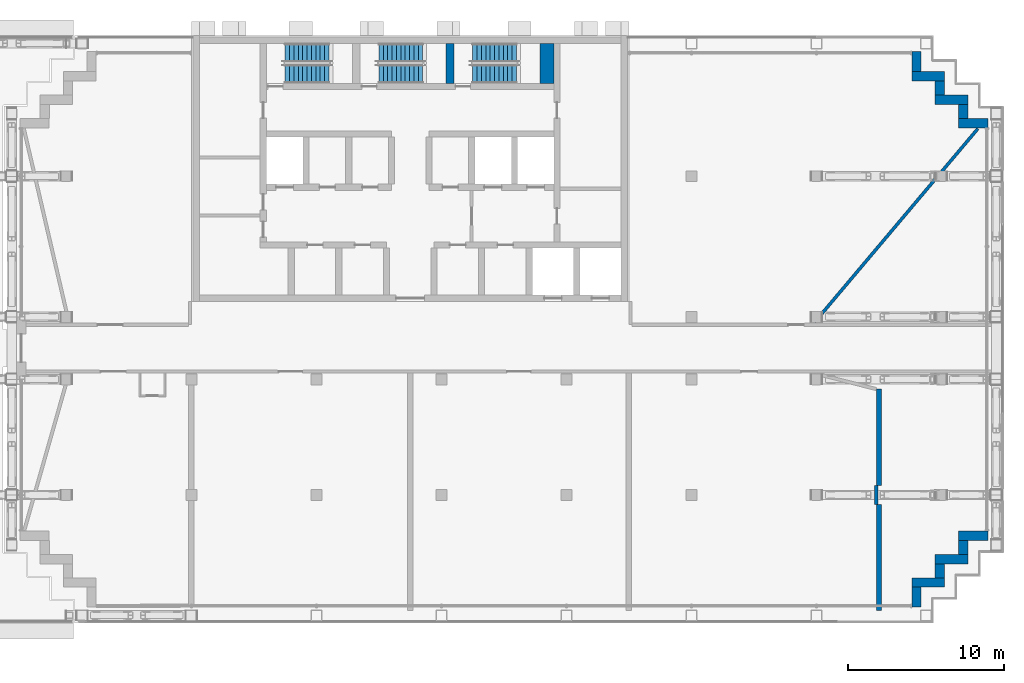
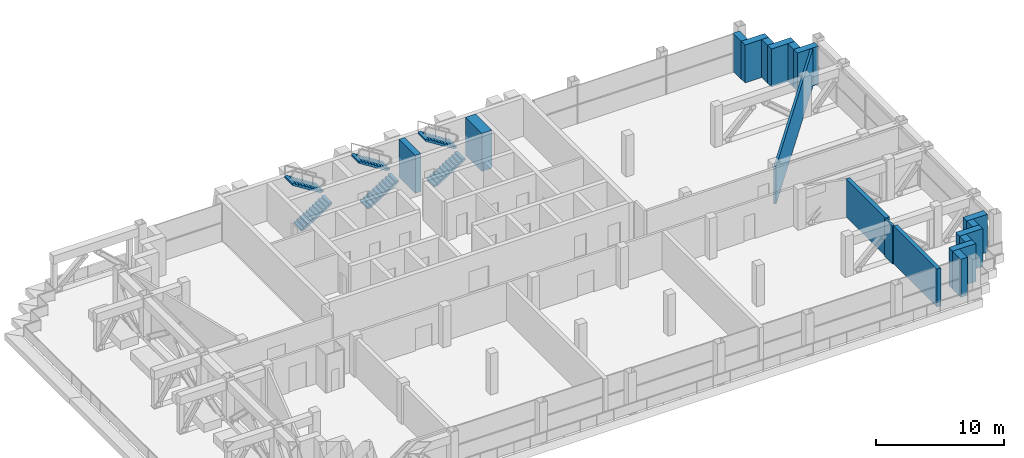
# One storey, part 9 of 21: 18 walls, 6 stair flights, 3 elements without a shape of their own.
"""IFC4 building model written with IfcOpenShell, lengths in metres."""

import ifcopenshell
import ifcopenshell.guid

model = None  # the IFC model being written
_history = None  # IfcOwnerHistory: only IFC2X3 demands one
_inside = {}  # id of a spatial element -> (the spatial element, [elements in it])
_under = {}  # id of a project, library or spatial element -> (it, [spatial elements below it])
_declared = {}  # id of a project -> (the project, [libraries it declares])
_typed = {}  # id of a type object -> (the type object, [elements of that type])
_made_of = {}  # id of a material, layer set ... -> (it, [elements and type objects made of it])


def new_model(schema):
    """Start an empty IFC model of exactly this schema.

    Asked for "IFC4X3", IfcOpenShell would pick the latest addendum, in which some entities
    have other attributes; the version numbers below select the first issue.
    IFC2X3 requires an IfcOwnerHistory on every rooted entity: one is made here for all.
    """
    global model, _history
    if schema == "IFC4X3":
        model = ifcopenshell.file(schema_version=(4, 3, 0, 0))
    else:
        model = ifcopenshell.file(schema=schema)
    _inside.clear()
    _under.clear()
    _declared.clear()
    _typed.clear()
    _made_of.clear()
    _history = None
    if model.schema == "IFC2X3":
        org = make("IfcOrganization", Name="unknown")
        user = make(
            "IfcPersonAndOrganization",
            ThePerson=make("IfcPerson", FamilyName="unknown"),
            TheOrganization=org,
        )
        app = make(
            "IfcApplication",
            ApplicationDeveloper=org,
            Version="unknown",
            ApplicationFullName="unknown",
            ApplicationIdentifier="unknown",
        )
        _history = make(
            "IfcOwnerHistory",
            OwningUser=user,
            OwningApplication=app,
            ChangeAction="ADDED",
            CreationDate=0,
        )
    return model


def make(cls, **values):
    """One entity of the class cls with the attributes given. An attribute that is None is left unset."""
    return model.create_entity(
        cls, **{name: value for name, value in values.items() if value is not None}
    )


def rooted(cls, **values):
    """An entity with a GlobalId (a new one), such as an element, a storey or a relation."""
    return make(cls, GlobalId=ifcopenshell.guid.new(), OwnerHistory=_history, **values)


def si_unit(unit_type, name, prefix=None):
    """IfcSIUnit, for example si_unit("LENGTHUNIT", "METRE", prefix="MILLI")."""
    return make("IfcSIUnit", UnitType=unit_type, Prefix=prefix, Name=name)


def assignment(units):
    """IfcUnitAssignment: the units of a project."""
    return None if units is None else make("IfcUnitAssignment", Units=units)


def point(xyz):
    """IfcCartesianPoint."""
    return None if xyz is None else make("IfcCartesianPoint", Coordinates=xyz)


def direction(xyz):
    """IfcDirection."""
    return None if xyz is None else make("IfcDirection", DirectionRatios=xyz)


def frame(location, z_axis=None, x_axis=None):
    """IfcAxis2Placement3D, a coordinate frame: its origin and axes. An axis left out is left unset."""
    return make(
        "IfcAxis2Placement3D",
        Location=point(location),
        Axis=direction(z_axis),
        RefDirection=direction(x_axis),
    )


def frame_2d(location, x_axis=None):
    """IfcAxis2Placement2D, a coordinate frame in the plane: its origin and x axis."""
    return make(
        "IfcAxis2Placement2D", Location=point(location), RefDirection=direction(x_axis)
    )


def origin():
    """The frame at (0, 0, 0) with its axes left unset."""
    return frame((0.0, 0.0, 0.0))


def place(relative_to, where):
    """IfcLocalPlacement: puts the frame where relative to a parent placement (None: the world)."""
    return make(
        "IfcLocalPlacement", PlacementRelTo=relative_to, RelativePlacement=where
    )


def context(
    kind, dimensions, precision=None, world=None, true_north=None, identifier=None
):
    """IfcGeometricRepresentationContext, for example the 3D "Model" context."""
    return make(
        "IfcGeometricRepresentationContext",
        ContextIdentifier=identifier,
        ContextType=kind,
        CoordinateSpaceDimension=dimensions,
        Precision=precision,
        WorldCoordinateSystem=world,
        TrueNorth=true_north,
    )


def subcontext(parent, identifier, kind, view, scale=None):
    """IfcGeometricRepresentationSubContext, for example "Body" below "Model"."""
    return make(
        "IfcGeometricRepresentationSubContext",
        ContextIdentifier=identifier,
        ContextType=kind,
        ParentContext=parent,
        TargetScale=scale,
        TargetView=view,
    )


def project(units=None, contexts=None):
    """IfcProject with its units and contexts."""
    return rooted(
        "IfcProject",
        Name="project",
        RepresentationContexts=contexts,
        UnitsInContext=assignment(units),
    )


def spatial(cls, under=None, at=None, **own):
    """A site, building, storey or space (cls), placed at a placement, below another one or the project."""
    s = rooted(cls, ObjectPlacement=at, **own)
    if under is not None:
        _under.setdefault(under.id(), (under, []))[1].append(s)
    return s


def polyline(points):
    """IfcPolyline through the points."""
    return make("IfcPolyline", Points=[point(p) for p in points])


def profile(cls, at=None, kind="AREA", **sizes):
    """A parametric profile (cls). Its sizes go by their IFC names, for example OverallWidth=200.0."""
    return make(cls, ProfileType=kind, Position=at, **sizes)


def rectangle(**sizes):
    """IfcRectangleProfileDef."""
    return profile("IfcRectangleProfileDef", **sizes)


def outline(outer, holes=None, kind="AREA"):
    """IfcArbitraryClosedProfileDef: a profile drawn as a closed curve; with holes, ...WithVoids."""
    if holes is None:
        return make("IfcArbitraryClosedProfileDef", ProfileType=kind, OuterCurve=outer)
    return make(
        "IfcArbitraryProfileDefWithVoids",
        ProfileType=kind,
        OuterCurve=outer,
        InnerCurves=holes,
    )


def extrude(swept, where, along, depth):
    """IfcExtrudedAreaSolid: the profile swept, set in the frame where, extruded along a direction by depth."""
    return make(
        "IfcExtrudedAreaSolid",
        SweptArea=swept,
        Position=where,
        ExtrudedDirection=direction(along),
        Depth=depth,
    )


def shape(context_of_items, identifier, shape_type, items):
    """IfcShapeRepresentation: the items that make up one representation, for example the "Body"."""
    return make(
        "IfcShapeRepresentation",
        ContextOfItems=context_of_items,
        RepresentationIdentifier=identifier,
        RepresentationType=shape_type,
        Items=items,
    )


def material(Name=None, Category=None):
    """IfcMaterial."""
    return make("IfcMaterial", Name=Name, Category=Category)


def layer(
    of_material, thickness, ventilated=None, Name=None, Category=None, Priority=None
):
    """IfcMaterialLayer: one layer of a wall or slab, of a material (None: an air gap)."""
    return make(
        "IfcMaterialLayer",
        Material=of_material,
        LayerThickness=thickness,
        IsVentilated=ventilated,
        Name=Name,
        Category=Category,
        Priority=Priority,
    )


def layer_set(layers, Name=None):
    """IfcMaterialLayerSet."""
    return make("IfcMaterialLayerSet", MaterialLayers=layers, LayerSetName=Name)


def made_of(thing, what):
    """Note that an element or type object is made of a material, layer set ...; save() writes the relation."""
    if what is not None:
        _made_of.setdefault(what.id(), (what, []))[1].append(thing)
    return thing


def type_object(cls, material=None, **own):
    """A type object (cls), such as IfcWallType, which elements share."""
    return made_of(rooted(cls, **own), material)


def element(
    cls,
    number,
    at=None,
    inside=None,
    cuts=None,
    type_object=None,
    material=None,
    context=None,
    identifier="Body",
    shape_type=None,
    held_by="IfcProductDefinitionShape",
    body=None,
    shapes=None,
    **own,
):
    """One element of the class cls, such as IfcWall. Its Tag is "e" and its number.

    at: its placement. inside: the storey or other place that contains it. cuts: it is an
    opening in that element (IfcRelVoidsElement). A single representation is given by context,
    identifier, shape_type and body (its items); several are given by shapes. held_by: the class
    of the entity that holds the representations. save() writes the other relations.
    """
    e = rooted(cls, Tag="e%d" % number, ObjectPlacement=at, **own)
    if body is not None:
        shapes = [shape(context, identifier, shape_type, body)]
    if shapes is not None:
        e.Representation = make(held_by, Representations=shapes)
    if inside is not None:
        _inside.setdefault(inside.id(), (inside, []))[1].append(e)
    if cuts is not None:
        rooted(
            "IfcRelVoidsElement", RelatingBuildingElement=cuts, RelatedOpeningElement=e
        )
    if type_object is not None:
        _typed.setdefault(type_object.id(), (type_object, []))[1].append(e)
    return made_of(e, material)


def aggregate(whole, parts):
    """IfcRelAggregates: a whole, such as a stair, and the parts it consists of."""
    return rooted("IfcRelAggregates", RelatingObject=whole, RelatedObjects=parts)


def save(model, path):
    """Write the relations noted so far, then the file.

    IfcRelAggregates (storeys below a building ...), IfcRelContainedInSpatialStructure (elements
    in a storey), IfcRelDefinesByType, IfcRelAssociatesMaterial and IfcRelDeclares: one each for
    every whole, place, type object, material and project.
    """
    for whole, parts in _under.values():
        aggregate(whole, parts)
    for where, things in _inside.values():
        rooted(
            "IfcRelContainedInSpatialStructure",
            RelatedElements=things,
            RelatingStructure=where,
        )
    for kind, things in _typed.values():
        rooted("IfcRelDefinesByType", RelatedObjects=things, RelatingType=kind)
    for what, things in _made_of.values():
        rooted("IfcRelAssociatesMaterial", RelatedObjects=things, RelatingMaterial=what)
    for by, libraries in _declared.values():
        rooted("IfcRelDeclares", RelatingContext=by, RelatedDefinitions=libraries)
    model.write(path)


model = new_model("IFC4")

# Units and contexts
model_context = context("Model", 3, precision=1e-05, world=origin(), true_north=direction((0.0, 1.0)))
body_context = subcontext(model_context, "Body", "Model", "MODEL_VIEW")
ifc_project = project(units=[si_unit("LENGTHUNIT", "METRE"), si_unit("AREAUNIT", "SQUARE_METRE"), si_unit("VOLUMEUNIT", "CUBIC_METRE"), si_unit("PLANEANGLEUNIT", "RADIAN"), si_unit("MASSUNIT", "GRAM", prefix="KILO")], contexts=[model_context])

# Site, building, storey
site_placement = place(None, origin())
site = spatial("IfcSite", under=ifc_project, at=site_placement, CompositionType="ELEMENT")
building_placement = place(site_placement, origin())
building = spatial("IfcBuilding", under=site, at=building_placement, Name="Vidyagriha Tower", CompositionType="ELEMENT")
storey_placement = place(building_placement, frame((0.0, 0.0, 161.39990234375)))
storey = spatial("IfcBuildingStorey", under=building, at=storey_placement, Name="L41", CompositionType="ELEMENT", Elevation=161.39990234375)

# Walls
ifc_material_1 = material(Name="Precast concrete C40/50 with brick facing", Category="concrete")
ifc_layer_1 = layer(ifc_material_1, 0.60009765625)
ifc_layer_set_1 = layer_set([ifc_layer_1], Name="Precast concrete C40/50 with brick facing")
wall_type_1 = type_object("IfcWallType", Name="Brick-faced precast wall 600", PredefinedType="STANDARD", material=ifc_layer_set_1)
wall_1_placement = place(storey_placement, frame((36.97998046875, 14.39990234375, 0.0), z_axis=(0.0, 0.0, 1.0), x_axis=(-1.0, 0.0, 0.0)))
element("IfcWall", 1, at=wall_1_placement, inside=storey, type_object=wall_type_1, Name="Stepped corner wall L41 R01", PredefinedType="STANDARD", context=body_context, shape_type="SweptSolid", body=[
    extrude(rectangle(XDim=1.8798828125, YDim=0.60009765625, at=frame_2d((0.93994140625, 0.0))), origin(), (0.0, 0.0, 1.0), 3.6201171875),
])
wall_2_placement = place(storey_placement, frame((35.39990234375, 14.699951171875, 0.0), z_axis=(0.0, 0.0, 1.0), x_axis=(0.0, 1.0, 0.0)))
element("IfcWall", 2, at=wall_2_placement, inside=storey, type_object=wall_type_1, Name="Stepped corner wall L41 R02", PredefinedType="STANDARD", context=body_context, shape_type="SweptSolid", body=[
    extrude(rectangle(XDim=0.900146484375, YDim=0.60009765625, at=frame_2d((0.4501953125, 0.0))), origin(), (0.0, 0.0, 1.0), 3.6201171875),
])
wall_3_placement = place(storey_placement, frame((35.699951171875, 15.89990234375, 0.0), z_axis=(0.0, 0.0, 1.0), x_axis=(-1.0, 0.0, 0.0)))
element("IfcWall", 3, at=wall_3_placement, inside=storey, type_object=wall_type_1, Name="Stepped corner wall L41 R03", PredefinedType="STANDARD", context=body_context, shape_type="SweptSolid", body=[
    extrude(rectangle(XDim=2.099853515625, YDim=0.60009765625, at=frame_2d((1.0498046875, 0.0))), origin(), (0.0, 0.0, 1.0), 3.6201171875),
])
wall_4_placement = place(storey_placement, frame((33.89990234375, 16.199951171875, 0.0), z_axis=(0.0, 0.0, 1.0), x_axis=(0.0, 1.0, 0.0)))
element("IfcWall", 4, at=wall_4_placement, inside=storey, type_object=wall_type_1, Name="Stepped corner wall L41 R04", PredefinedType="STANDARD", context=body_context, shape_type="SweptSolid", body=[
    extrude(rectangle(XDim=0.900146484375, YDim=0.60009765625, at=frame_2d((0.4501953125, 0.0))), origin(), (0.0, 0.0, 1.0), 3.6201171875),
])
wall_5_placement = place(storey_placement, frame((34.199951171875, 17.39990234375, 0.0), z_axis=(0.0, 0.0, 1.0), x_axis=(-1.0, 0.0, 0.0)))
element("IfcWall", 5, at=wall_5_placement, inside=storey, type_object=wall_type_1, Name="Stepped corner wall L41 R05", PredefinedType="STANDARD", context=body_context, shape_type="SweptSolid", body=[
    extrude(rectangle(XDim=2.099853515625, YDim=0.60009765625, at=frame_2d((1.0498046875, 0.0))), origin(), (0.0, 0.0, 1.0), 3.6201171875),
])
for number, where, z_axis, x_axis, name in (
    (6, (32.39990234375, 17.699951171875, 0.0), (0.0, 0.0, 1.0), (0.0, 1.0, 0.0), "Stepped corner wall L41 R06"),
    (7, (32.39990234375, -16.580078125, 0.0), (0.0, 0.0, 1.0), (0.0, 1.0, 0.0), "Stepped corner wall L41 R24"),
):
    element("IfcWall", number, at=place(storey_placement, frame(where, z_axis=z_axis, x_axis=x_axis)), inside=storey, type_object=wall_type_1, Name=name, PredefinedType="STANDARD", context=body_context, shape_type="SweptSolid", body=[
        extrude(rectangle(XDim=1.280029296875, YDim=0.60009765625, at=frame_2d((0.64013671875, 0.0))), origin(), (0.0, 0.0, 1.0), 3.6201171875),
    ])
wall_6_placement = place(storey_placement, frame((32.10009765625, -15.0, 0.0)))
element("IfcWall", 8, at=wall_6_placement, inside=storey, type_object=wall_type_1, Name="Stepped corner wall L41 R25", PredefinedType="STANDARD", context=body_context, shape_type="SweptSolid", body=[
    extrude(rectangle(XDim=2.099853515625, YDim=0.60009765625, at=frame_2d((1.0498046875, 0.0))), origin(), (0.0, 0.0, 1.0), 3.6201171875),
])
wall_7_placement = place(storey_placement, frame((33.89990234375, -14.699951171875, 0.0), z_axis=(0.0, 0.0, 1.0), x_axis=(0.0, 1.0, 0.0)))
element("IfcWall", 9, at=wall_7_placement, inside=storey, type_object=wall_type_1, Name="Stepped corner wall L41 R26", PredefinedType="STANDARD", context=body_context, shape_type="SweptSolid", body=[
    extrude(rectangle(XDim=0.89990234375, YDim=0.60009765625, at=frame_2d((0.449951171875, 0.0))), origin(), (0.0, 0.0, 1.0), 3.6201171875),
])
wall_8_placement = place(storey_placement, frame((33.60009765625, -13.5, 0.0)))
element("IfcWall", 10, at=wall_8_placement, inside=storey, type_object=wall_type_1, Name="Stepped corner wall L41 R27", PredefinedType="STANDARD", context=body_context, shape_type="SweptSolid", body=[
    extrude(rectangle(XDim=2.099853515625, YDim=0.60009765625, at=frame_2d((1.0498046875, 0.0))), origin(), (0.0, 0.0, 1.0), 3.6201171875),
])
wall_9_placement = place(storey_placement, frame((35.39990234375, -13.199951171875, 0.0), z_axis=(0.0, 0.0, 1.0), x_axis=(0.0, 1.0, 0.0)))
element("IfcWall", 11, at=wall_9_placement, inside=storey, type_object=wall_type_1, Name="Stepped corner wall L41 R28", PredefinedType="STANDARD", context=body_context, shape_type="SweptSolid", body=[
    extrude(rectangle(XDim=0.89990234375, YDim=0.60009765625, at=frame_2d((0.449951171875, 0.0))), origin(), (0.0, 0.0, 1.0), 3.6201171875),
])
wall_10_placement = place(storey_placement, frame((35.10009765625, -12.0, 0.0)))
element("IfcWall", 12, at=wall_10_placement, inside=storey, type_object=wall_type_1, Name="Stepped corner wall L41 R29", PredefinedType="STANDARD", context=body_context, shape_type="SweptSolid", body=[
    extrude(rectangle(XDim=1.8798828125, YDim=0.60009765625, at=frame_2d((0.93994140625, 0.0))), origin(), (0.0, 0.0, 1.0), 3.6201171875),
])
ifc_material_2 = material(Name="Concrete C60/75", Category="concrete")
ifc_layer_2 = layer(ifc_material_2, 0.5)
ifc_layer_set_2 = layer_set([ifc_layer_2], Name="Concrete C60/75")
wall_type_2 = type_object("IfcWallType", Name="Core shear wall 500 mm", PredefinedType="SHEAR", material=ifc_layer_set_2)
wall_11_placement = place(storey_placement, frame((2.550048828125, 16.949951171875, 0.0), z_axis=(0.0, 0.0, 1.0), x_axis=(0.0, 1.0, 0.0)))
element("IfcWall", 13, at=wall_11_placement, inside=storey, type_object=wall_type_2, Name="Stair partition wall 2", PredefinedType="SHEAR", context=body_context, shape_type="SweptSolid", body=[
    extrude(rectangle(XDim=2.550048828125, YDim=0.5, at=frame_2d((1.27490234375, 0.0))), origin(), (0.0, 0.0, 1.0), 3.6201171875),
])
ifc_material_3 = material(Name="Concrete C60/75", Category="concrete")
ifc_layer_3 = layer(ifc_material_3, 0.89990234375)
ifc_layer_set_3 = layer_set([ifc_layer_3], Name="Concrete C60/75")
wall_type_3 = type_object("IfcWallType", Name="Core shear wall 900 mm", PredefinedType="SHEAR", material=ifc_layer_set_3)
wall_12_placement = place(storey_placement, frame((8.75, 16.949951171875, 0.0), z_axis=(0.0, 0.0, 1.0), x_axis=(0.0, 1.0, 0.0)))
element("IfcWall", 14, at=wall_12_placement, inside=storey, type_object=wall_type_3, Name="Stair end wall", PredefinedType="SHEAR", context=body_context, shape_type="SweptSolid", body=[
    extrude(rectangle(XDim=2.550048828125, YDim=0.89990234375, at=frame_2d((1.27490234375, 0.0))), origin(), (0.0, 0.0, 1.0), 3.6201171875),
])
ifc_material_4 = material(Name="Blockwork 15 MPa", Category="masonry")
ifc_layer_4 = layer(ifc_material_4, 0.199951171875)
ifc_layer_set_4 = layer_set([ifc_layer_4], Name="Blockwork 15 MPa")
wall_type_4 = type_object("IfcWallType", Name="Service room partition 200 mm", PredefinedType="PARTITIONING", material=ifc_layer_set_4)
wall_13_placement = place(storey_placement, frame((29.824951171875, -10.0, 0.0), z_axis=(0.0, 0.0, 1.0), x_axis=(0.0, 1.0, 0.0)))
element("IfcWall", 15, at=wall_13_placement, inside=storey, type_object=wall_type_4, Name="Plant room wall", PredefinedType="PARTITIONING", context=body_context, shape_type="SweptSolid", body=[
    extrude(rectangle(XDim=1.199951171875, YDim=0.199951171875, at=frame_2d((0.60009765625, 0.0))), origin(), (0.0, 0.0, 1.0), 3.6201171875),
])
wall_14_placement = place(storey_placement, frame((25.881591796875, 1.6611328125, 0.0), z_axis=(0.0, 0.0, 1.0), x_axis=(0.644765830632, 0.764380156499, 0.0)))
element("IfcWall", 16, at=wall_14_placement, inside=storey, type_object=wall_type_4, Name="Plant room wall", PredefinedType="PARTITIONING", context=body_context, shape_type="SweptSolid", body=[
    extrude(rectangle(XDim=16.197998046875, YDim=0.199951171875, at=frame_2d((8.09912109375, 0.0))), origin(), (0.0, 0.0, 1.0), 3.6201171875),
])
ifc_material_5 = material(Name="Blockwork 15 MPa", Category="masonry")
ifc_layer_5 = layer(ifc_material_5, 0.35009765625)
ifc_layer_set_5 = layer_set([ifc_layer_5], Name="Blockwork 15 MPa")
wall_type_5 = type_object("IfcWallType", Name="Service room partition 350 mm", PredefinedType="PARTITIONING", material=ifc_layer_set_5)
wall_15_placement = place(storey_placement, frame((30.0, -16.800048828125, 0.0), z_axis=(0.0, 0.0, 1.0), x_axis=(0.0, 1.0, 0.0)))
element("IfcWall", 17, at=wall_15_placement, inside=storey, type_object=wall_type_5, Name="Plant room wall", PredefinedType="PARTITIONING", context=body_context, shape_type="SweptSolid", body=[
    extrude(rectangle(XDim=6.800048828125, YDim=0.35009765625, at=frame_2d((3.39990234375, 0.0))), origin(), (0.0, 0.0, 1.0), 3.6201171875),
])
wall_16_placement = place(storey_placement, frame((30.0, -8.800048828125, 0.0), z_axis=(0.0, 0.0, 1.0), x_axis=(0.0, 1.0, 0.0)))
element("IfcWall", 18, at=wall_16_placement, inside=storey, type_object=wall_type_5, Name="Plant room wall", PredefinedType="PARTITIONING", context=body_context, shape_type="SweptSolid", body=[
    extrude(rectangle(XDim=6.199951171875, YDim=0.35009765625, at=frame_2d((3.10009765625, 0.0))), origin(), (0.0, 0.0, 1.0), 3.6201171875),
])

# Stair, stair flights
ifc_material_6 = material(Name="Concrete C40/50", Category="concrete")
stair_type = type_object("IfcStairType", Name="Exit stair, half-turn, precast flights", PredefinedType="HALF_TURN_STAIR", material=ifc_material_6)
stair_1_placement = place(storey_placement, origin())
stair_1 = element("IfcStair", 19, at=stair_1_placement, inside=storey, type_object=stair_type, Name="L41 Exit Stair ST1", PredefinedType="HALF_TURN_STAIR")
ifc_material_7 = material(Name="Precast concrete C40/50", Category="concrete")
stair_flight_type = type_object("IfcStairFlightType", Name="Exit stair flight 1200 mm, precast", PredefinedType="STRAIGHT", material=ifc_material_7)
stair_flight_1_placement = place(storey_placement, frame((-8.0, 17.550048828125, 0.0)))
stair_flight_1 = element("IfcStairFlight", 20, at=stair_flight_1_placement, type_object=stair_flight_type, Name="ST1 flight 1", NumberOfRisers=11, NumberOfTreads=10, PredefinedType="STRAIGHT", RiserHeight=0.177272727, TreadLength=0.28, context=body_context, shape_type="SweptSolid", body=[
    extrude(outline(polyline([(0.0, 0.0), (0.0, 0.17724609375), (0.280029296875, 0.17724609375), (0.280029296875, 0.3544921875), (0.56005859375, 0.3544921875), (0.56005859375, 0.53173828125), (0.840087890625, 0.53173828125), (0.840087890625, 0.708984375), (1.1201171875, 0.708984375), (1.1201171875, 0.886474609375), (1.39990234375, 0.886474609375), (1.39990234375, 1.063720703125), (1.679931640625, 1.063720703125), (1.679931640625, 1.240966796875), (1.9599609375, 1.240966796875), (1.9599609375, 1.418212890625), (2.239990234375, 1.418212890625), (2.239990234375, 1.595458984375), (2.52001953125, 1.595458984375), (2.52001953125, 1.772705078125), (2.800048828125, 1.772705078125), (2.800048828125, 1.949951171875), (2.800048828125, 1.59521484375), (0.2802734375, 0.0), (0.0, 0.0)])), frame((0.0, 0.60009765625, 0.0), z_axis=(0.0, -1.0, 0.0), x_axis=(1.0, 0.0, 0.0)), (0.0, 0.0, 1.0), 1.199951171875),
])
stair_flight_2_placement = place(storey_placement, frame((-5.199951171875, 18.89990234375, 1.9501953125), z_axis=(0.0, 0.0, 1.0), x_axis=(-1.0, 0.0, 0.0)))
stair_flight_2 = element("IfcStairFlight", 21, at=stair_flight_2_placement, type_object=stair_flight_type, Name="ST1 flight 2", NumberOfRisers=11, NumberOfTreads=10, PredefinedType="STRAIGHT", RiserHeight=0.177272727, TreadLength=0.28, context=body_context, shape_type="SweptSolid", body=[
    extrude(outline(polyline([(0.0, 0.0), (0.0, 0.17724609375), (0.280029296875, 0.17724609375), (0.280029296875, 0.3544921875), (0.56005859375, 0.3544921875), (0.56005859375, 0.53173828125), (0.840087890625, 0.53173828125), (0.840087890625, 0.708984375), (1.1201171875, 0.708984375), (1.1201171875, 0.886474609375), (1.39990234375, 0.886474609375), (1.39990234375, 1.063720703125), (1.679931640625, 1.063720703125), (1.679931640625, 1.240966796875), (1.9599609375, 1.240966796875), (1.9599609375, 1.418212890625), (2.239990234375, 1.418212890625), (2.239990234375, 1.595458984375), (2.52001953125, 1.595458984375), (2.52001953125, 1.772705078125), (2.800048828125, 1.772705078125), (2.800048828125, 1.949951171875), (2.800048828125, 1.59521484375), (0.2802734375, 0.0), (0.0, 0.0)])), frame((0.0, 0.60009765625, 0.0), z_axis=(0.0, -1.0, 0.0), x_axis=(1.0, 0.0, 0.0)), (0.0, 0.0, 1.0), 1.199951171875),
])
aggregate(stair_1, [stair_flight_1, stair_flight_2])

stair_2_placement = place(storey_placement, origin())
stair_2 = element("IfcStair", 22, at=stair_2_placement, inside=storey, type_object=stair_type, Name="L41 Exit Stair ST2", PredefinedType="HALF_TURN_STAIR")
stair_flight_3_placement = place(storey_placement, frame((-2.0, 17.550048828125, 0.0)))
stair_flight_3 = element("IfcStairFlight", 23, at=stair_flight_3_placement, type_object=stair_flight_type, Name="ST2 flight 1", NumberOfRisers=11, NumberOfTreads=10, PredefinedType="STRAIGHT", RiserHeight=0.177272727, TreadLength=0.28, context=body_context, shape_type="SweptSolid", body=[
    extrude(outline(polyline([(0.0, 0.0), (0.0, 0.17724609375), (0.280029296875, 0.17724609375), (0.280029296875, 0.3544921875), (0.56005859375, 0.3544921875), (0.56005859375, 0.53173828125), (0.840087890625, 0.53173828125), (0.840087890625, 0.708984375), (1.1201171875, 0.708984375), (1.1201171875, 0.886474609375), (1.39990234375, 0.886474609375), (1.39990234375, 1.063720703125), (1.679931640625, 1.063720703125), (1.679931640625, 1.240966796875), (1.9599609375, 1.240966796875), (1.9599609375, 1.418212890625), (2.239990234375, 1.418212890625), (2.239990234375, 1.595458984375), (2.52001953125, 1.595458984375), (2.52001953125, 1.772705078125), (2.800048828125, 1.772705078125), (2.800048828125, 1.949951171875), (2.800048828125, 1.59521484375), (0.2802734375, 0.0), (0.0, 0.0)])), frame((0.0, 0.60009765625, 0.0), z_axis=(0.0, -1.0, 0.0), x_axis=(1.0, 0.0, 0.0)), (0.0, 0.0, 1.0), 1.199951171875),
])
stair_flight_4_placement = place(storey_placement, frame((0.800048828125, 18.89990234375, 1.9501953125), z_axis=(0.0, 0.0, 1.0), x_axis=(-1.0, 0.0, 0.0)))
stair_flight_4 = element("IfcStairFlight", 24, at=stair_flight_4_placement, type_object=stair_flight_type, Name="ST2 flight 2", NumberOfRisers=11, NumberOfTreads=10, PredefinedType="STRAIGHT", RiserHeight=0.177272727, TreadLength=0.28, context=body_context, shape_type="SweptSolid", body=[
    extrude(outline(polyline([(0.0, 0.0), (0.0, 0.17724609375), (0.280029296875, 0.17724609375), (0.280029296875, 0.3544921875), (0.56005859375, 0.3544921875), (0.56005859375, 0.53173828125), (0.840087890625, 0.53173828125), (0.840087890625, 0.708984375), (1.1201171875, 0.708984375), (1.1201171875, 0.886474609375), (1.39990234375, 0.886474609375), (1.39990234375, 1.063720703125), (1.679931640625, 1.063720703125), (1.679931640625, 1.240966796875), (1.9599609375, 1.240966796875), (1.9599609375, 1.418212890625), (2.239990234375, 1.418212890625), (2.239990234375, 1.595458984375), (2.52001953125, 1.595458984375), (2.52001953125, 1.772705078125), (2.800048828125, 1.772705078125), (2.800048828125, 1.949951171875), (2.800048828125, 1.59521484375), (0.2802734375, 0.0), (0.0, 0.0)])), frame((0.0, 0.60009765625, 0.0), z_axis=(0.0, -1.0, 0.0), x_axis=(1.0, 0.0, 0.0)), (0.0, 0.0, 1.0), 1.199951171875),
])
aggregate(stair_2, [stair_flight_3, stair_flight_4])

stair_3_placement = place(storey_placement, origin())
stair_3 = element("IfcStair", 25, at=stair_3_placement, inside=storey, type_object=stair_type, Name="L41 Exit Stair ST3", PredefinedType="HALF_TURN_STAIR")
stair_flight_5_placement = place(storey_placement, frame((4.0, 17.550048828125, 0.0)))
stair_flight_5 = element("IfcStairFlight", 26, at=stair_flight_5_placement, type_object=stair_flight_type, Name="ST3 flight 1", NumberOfRisers=11, NumberOfTreads=10, PredefinedType="STRAIGHT", RiserHeight=0.177272727, TreadLength=0.28, context=body_context, shape_type="SweptSolid", body=[
    extrude(outline(polyline([(0.0, 0.0), (0.0, 0.17724609375), (0.280029296875, 0.17724609375), (0.280029296875, 0.3544921875), (0.56005859375, 0.3544921875), (0.56005859375, 0.53173828125), (0.840087890625, 0.53173828125), (0.840087890625, 0.708984375), (1.1201171875, 0.708984375), (1.1201171875, 0.886474609375), (1.39990234375, 0.886474609375), (1.39990234375, 1.063720703125), (1.679931640625, 1.063720703125), (1.679931640625, 1.240966796875), (1.9599609375, 1.240966796875), (1.9599609375, 1.418212890625), (2.239990234375, 1.418212890625), (2.239990234375, 1.595458984375), (2.52001953125, 1.595458984375), (2.52001953125, 1.772705078125), (2.800048828125, 1.772705078125), (2.800048828125, 1.949951171875), (2.800048828125, 1.59521484375), (0.2802734375, 0.0), (0.0, 0.0)])), frame((0.0, 0.60009765625, 0.0), z_axis=(0.0, -1.0, 0.0), x_axis=(1.0, 0.0, 0.0)), (0.0, 0.0, 1.0), 1.199951171875),
])
stair_flight_6_placement = place(storey_placement, frame((6.800048828125, 18.89990234375, 1.9501953125), z_axis=(0.0, 0.0, 1.0), x_axis=(-1.0, 0.0, 0.0)))
stair_flight_6 = element("IfcStairFlight", 27, at=stair_flight_6_placement, type_object=stair_flight_type, Name="ST3 flight 2", NumberOfRisers=11, NumberOfTreads=10, PredefinedType="STRAIGHT", RiserHeight=0.177272727, TreadLength=0.28, context=body_context, shape_type="SweptSolid", body=[
    extrude(outline(polyline([(0.0, 0.0), (0.0, 0.17724609375), (0.280029296875, 0.17724609375), (0.280029296875, 0.3544921875), (0.56005859375, 0.3544921875), (0.56005859375, 0.53173828125), (0.840087890625, 0.53173828125), (0.840087890625, 0.708984375), (1.1201171875, 0.708984375), (1.1201171875, 0.886474609375), (1.39990234375, 0.886474609375), (1.39990234375, 1.063720703125), (1.679931640625, 1.063720703125), (1.679931640625, 1.240966796875), (1.9599609375, 1.240966796875), (1.9599609375, 1.418212890625), (2.239990234375, 1.418212890625), (2.239990234375, 1.595458984375), (2.52001953125, 1.595458984375), (2.52001953125, 1.772705078125), (2.800048828125, 1.772705078125), (2.800048828125, 1.949951171875), (2.800048828125, 1.59521484375), (0.2802734375, 0.0), (0.0, 0.0)])), frame((0.0, 0.60009765625, 0.0), z_axis=(0.0, -1.0, 0.0), x_axis=(1.0, 0.0, 0.0)), (0.0, 0.0, 1.0), 1.199951171875),
])
aggregate(stair_3, [stair_flight_5, stair_flight_6])

save(model, "model.ifc")
